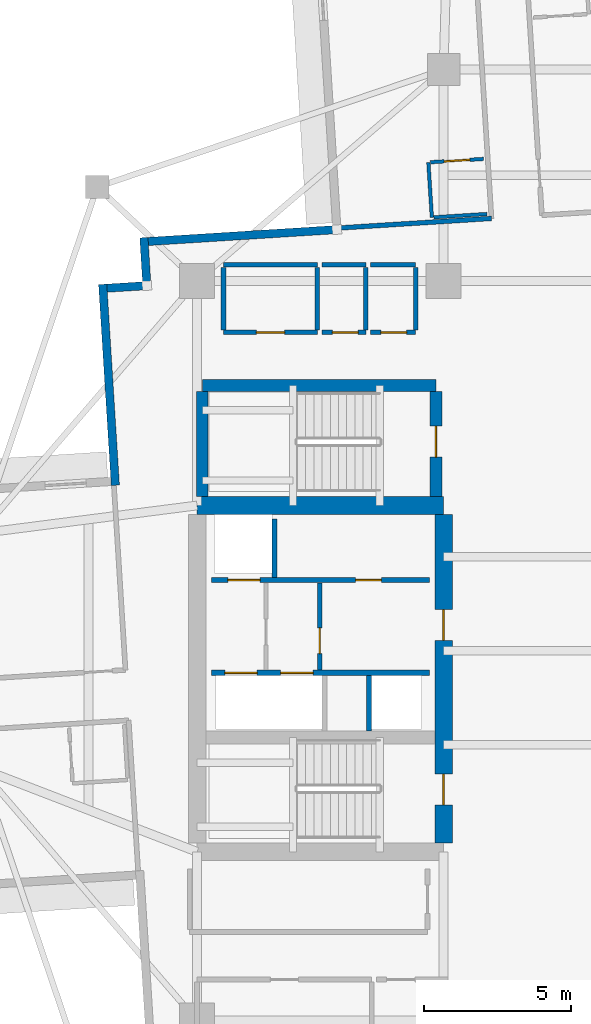
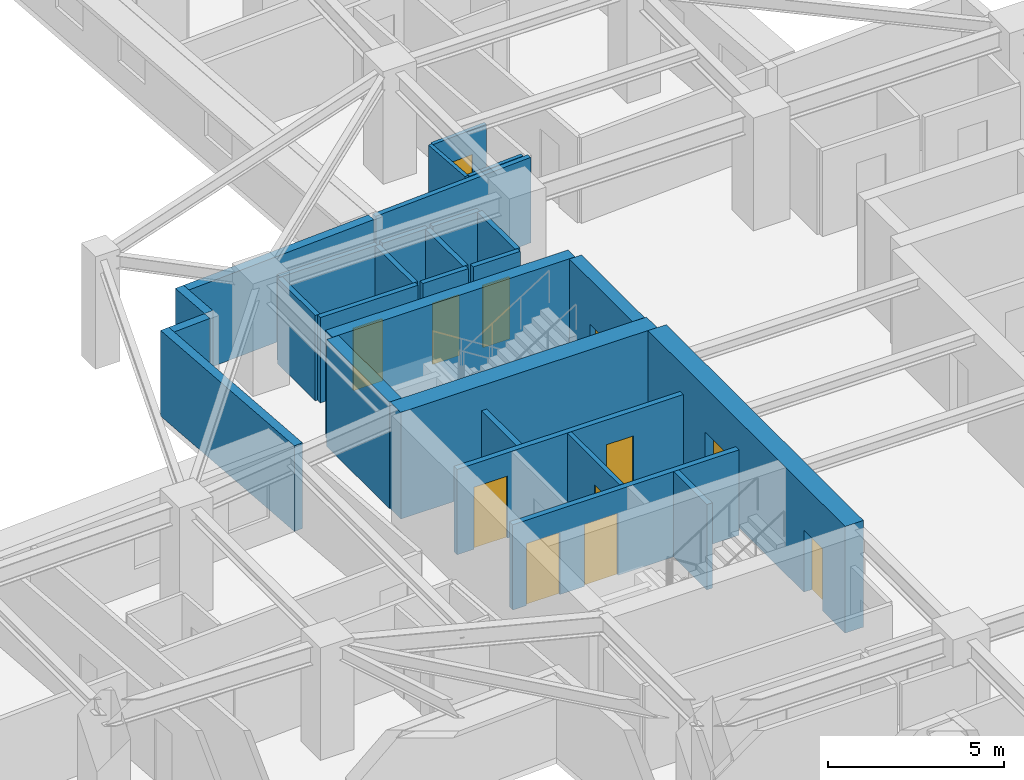
# One storey, part 6 of 14: 28 walls, 12 doors, 12 openings.
"""IFC4 building model written with IfcOpenShell, lengths in metres."""

from ifc_helpers import new_model, si_unit, direction, frame, frame_2d, origin, place, context, subcontext, project, spatial, rectangle, extrude, material, layer, layer_set, type_object, element, fill, save


model = new_model("IFC4")

# Units and contexts
model_context = context("Model", 3, precision=1e-05, world=origin(), true_north=direction((0.0, 1.0)))
body_context = subcontext(model_context, "Body", "Model", "MODEL_VIEW")
ifc_project = project(units=[si_unit("LENGTHUNIT", "METRE"), si_unit("AREAUNIT", "SQUARE_METRE"), si_unit("VOLUMEUNIT", "CUBIC_METRE"), si_unit("PLANEANGLEUNIT", "RADIAN"), si_unit("MASSUNIT", "GRAM", prefix="KILO")], contexts=[model_context])

# Site, building, storey
site_placement = place(None, origin())
site = spatial("IfcSite", under=ifc_project, at=site_placement, CompositionType="ELEMENT")
building_placement = place(site_placement, origin())
building = spatial("IfcBuilding", under=site, at=building_placement, Name="Qingluan Cross Belvedere", CompositionType="ELEMENT")
storey_placement = place(building_placement, frame((0.0, 0.0, 120.300048828125)))
storey = spatial("IfcBuildingStorey", under=building, at=storey_placement, Name="L30", CompositionType="ELEMENT", Elevation=120.300048828125)

# Walls
ifc_material_1 = material(Name="Concrete C50", Category="concrete")
ifc_layer_1 = layer(ifc_material_1, 0.449951171875, Name="CoreShearWall_450")
ifc_layer_set_1 = layer_set([ifc_layer_1], Name="Concrete C50")
wall_type_1 = type_object("IfcWallType", Name="CoreShearWall_450", PredefinedType="SHEAR", material=ifc_layer_set_1)
wall_1_placement = place(storey_placement, frame((-12.219970703125, 9.0400390625, 0.0), z_axis=(0.0, 0.0, 1.0), x_axis=(1.0, 0.0, 0.0)))
element("IfcWall", 1, at=wall_1_placement, inside=storey, type_object=wall_type_1, Name="Stair ST3 structural wall N L30", PredefinedType="SHEAR", context=body_context, shape_type="SweptSolid", body=[
    extrude(rectangle(XDim=7.9599609375, YDim=0.39990234375, at=frame_2d((3.97998046875, 0.0))), origin(), (0.0, 0.0, 1.0), 3.699951171875),
])
wall_2_placement = place(storey_placement, frame((-12.219970703125, 5.2548828125, 0.0), z_axis=(0.0, 0.0, 1.0), x_axis=(0.0, 1.0, 0.0)))
element("IfcWall", 2, at=wall_2_placement, inside=storey, type_object=wall_type_1, Name="Stair ST3 structural wall W L30", PredefinedType="SHEAR", context=body_context, shape_type="SweptSolid", body=[
    extrude(rectangle(XDim=3.580078125, YDim=0.39990234375, at=frame_2d((1.7900390625, 0.0))), origin(), (0.0, 0.0, 1.0), 3.699951171875),
])

# Wall, opening, door
wall_3_placement = place(storey_placement, frame((-4.260009765625, 5.2548828125, 0.0), z_axis=(0.0, 0.0, 1.0), x_axis=(0.0, 1.0, 0.0)))
wall_3 = element("IfcWall", 3, at=wall_3_placement, inside=storey, type_object=wall_type_1, Name="Stair ST3 structural wall E L30", PredefinedType="SHEAR", context=body_context, shape_type="SweptSolid", body=[
    extrude(rectangle(XDim=3.580078125, YDim=0.39990234375, at=frame_2d((1.7900390625, 0.0))), origin(), (0.0, 0.0, 1.0), 3.699951171875),
])
opening_1_placement = place(wall_3_placement, frame((1.344970703125, 0.0, 0.0)))
opening_1 = element("IfcOpeningElement", 4, at=opening_1_placement, cuts=wall_3, Name="Opening FD-B11", PredefinedType="OPENING", context=body_context, shape_type="SweptSolid", body=[
    extrude(rectangle(XDim=1.050048828125, YDim=2.14990234375, at=frame_2d((0.52490234375, 1.074951171875))), frame((0.0, 0.2099609375, 0.0), z_axis=(0.0, -1.0, 0.0), x_axis=(1.0, 0.0, 0.0)), (0.0, 0.0, 1.0), 0.419921875),
])
ifc_material_2 = material(Name="Steel Class B smoke-seal fire door", Category="steel")
door_type_1 = type_object("IfcDoorType", Name="StairLobbyFireDoor_FDB", OperationType="NOTDEFINED", PredefinedType="DOOR", material=ifc_material_2)
door_1_placement = place(opening_1_placement, origin())
door_1 = element("IfcDoor", 5, at=door_1_placement, inside=storey, type_object=door_type_1, Name="Smoke-proof stair ST3 fire door L30", OperationType="SINGLE_SWING_RIGHT", OverallHeight=2.14990234375, OverallWidth=1.050048828125, PredefinedType="DOOR", context=body_context, shape_type="SweptSolid", body=[
    extrude(rectangle(XDim=1.050048828125, YDim=2.14990234375, at=frame_2d((0.52490234375, 1.074951171875))), frame((0.0, 0.02490234375, 0.0), z_axis=(0.0, -1.0, 0.0), x_axis=(1.0, 0.0, 0.0)), (0.0, 0.0, 1.0), 0.050048828125),
])
fill(opening_1, door_1)

# Wall
ifc_material_3 = material(Name="Concrete C60", Category="concrete")
ifc_layer_2 = layer(ifc_material_3, 0.60009765625, Name="CoreShearWall_600")
ifc_layer_set_2 = layer_set([ifc_layer_2], Name="Concrete C60")
wall_type_2 = type_object("IfcWallType", Name="CoreShearWall_600", PredefinedType="SHEAR", material=ifc_layer_set_2)
wall_4_placement = place(storey_placement, frame((-12.39990234375, 4.949951171875, 0.0), z_axis=(0.0, 0.0, 1.0), x_axis=(1.0, 0.0, 0.0)))
element("IfcWall", 6, at=wall_4_placement, inside=storey, type_object=wall_type_2, Name="Split core W shear wall L30-N", PredefinedType="SHEAR", context=body_context, shape_type="SweptSolid", body=[
    extrude(rectangle(XDim=8.39990234375, YDim=0.60009765625, at=frame_2d((4.199951171875, 0.0))), origin(), (0.0, 0.0, 1.0), 3.699951171875),
])

# Wall, openings, doors
wall_5_placement = place(storey_placement, frame((-4.0, -6.544921875, 0.0), z_axis=(0.0, 0.0, 1.0), x_axis=(0.0, 1.0, 0.0)))
wall_5 = element("IfcWall", 7, at=wall_5_placement, inside=storey, type_object=wall_type_2, Name="Split core W shear wall L30-E", PredefinedType="SHEAR", context=body_context, shape_type="SweptSolid", body=[
    extrude(rectangle(XDim=11.18994140625, YDim=0.60009765625, at=frame_2d((5.594970703125, 0.0))), origin(), (0.0, 0.0, 1.0), 3.699951171875),
])
opening_2_placement = place(wall_5_placement, frame((1.294921875, 0.0, 0.0)))
opening_2 = element("IfcOpeningElement", 8, at=opening_2_placement, cuts=wall_5, Name="Opening FD-B11", PredefinedType="OPENING", context=body_context, shape_type="SweptSolid", body=[
    extrude(rectangle(XDim=1.050048828125, YDim=2.14990234375, at=frame_2d((0.52490234375, 1.074951171875))), frame((0.0, 0.31005859375, 0.0), z_axis=(0.0, -1.0, 0.0), x_axis=(1.0, 0.0, 0.0)), (0.0, 0.0, 1.0), 0.6201171875),
])
opening_3_placement = place(wall_5_placement, frame((6.89501953125, 0.0, 0.0)))
opening_3 = element("IfcOpeningElement", 9, at=opening_3_placement, cuts=wall_5, Name="Opening FD-B11", PredefinedType="OPENING", context=body_context, shape_type="SweptSolid", body=[
    extrude(rectangle(XDim=1.050048828125, YDim=2.14990234375, at=frame_2d((0.52490234375, 1.074951171875))), frame((0.0, 0.31005859375, 0.0), z_axis=(0.0, -1.0, 0.0), x_axis=(1.0, 0.0, 0.0)), (0.0, 0.0, 1.0), 0.6201171875),
])
door_2_placement = place(opening_2_placement, origin())
door_2 = element("IfcDoor", 10, at=door_2_placement, inside=storey, type_object=door_type_1, Name="Smoke-proof stair ST1 fire door L30", OperationType="SINGLE_SWING_RIGHT", OverallHeight=2.14990234375, OverallWidth=1.050048828125, PredefinedType="DOOR", context=body_context, shape_type="SweptSolid", body=[
    extrude(rectangle(XDim=1.050048828125, YDim=2.14990234375, at=frame_2d((0.52490234375, 1.074951171875))), frame((0.0, 0.02490234375, 0.0), z_axis=(0.0, -1.0, 0.0), x_axis=(1.0, 0.0, 0.0)), (0.0, 0.0, 1.0), 0.050048828125),
])
fill(opening_2, door_2)
door_3_placement = place(opening_3_placement, origin())
door_3 = element("IfcDoor", 11, at=door_3_placement, inside=storey, type_object=door_type_1, Name="Firefighting lobby West fire door L30", OperationType="SINGLE_SWING_RIGHT", OverallHeight=2.14990234375, OverallWidth=1.050048828125, PredefinedType="DOOR", context=body_context, shape_type="SweptSolid", body=[
    extrude(rectangle(XDim=1.050048828125, YDim=2.14990234375, at=frame_2d((0.52490234375, 1.074951171875))), frame((0.0, 0.02490234375, 0.0), z_axis=(0.0, -1.0, 0.0), x_axis=(1.0, 0.0, 0.0)), (0.0, 0.0, 1.0), 0.050048828125),
])
fill(opening_3, door_3)

# Wall, opening, door
ifc_material_4 = material(Name="Gypsum plasterboard on steel stud acoustic partition", Category="steel")
ifc_layer_3 = layer(ifc_material_4, 0.159912109375, Name="CorridorPartition_160")
ifc_layer_set_3 = layer_set([ifc_layer_3], Name="Gypsum plasterboard on steel stud acoustic partition")
wall_type_3 = type_object("IfcWallType", Name="CorridorPartition_160", PredefinedType="PARTITIONING", material=ifc_layer_set_3)
wall_6_placement = place(storey_placement, frame((-11.5, 10.85009765625, 0.0), z_axis=(0.0, 0.0, 1.0), x_axis=(1.0, 0.0, 0.0)))
wall_6 = element("IfcWall", 12, at=wall_6_placement, inside=storey, type_object=wall_type_3, Name="Partition L30:q_nw_occ:S", PredefinedType="PARTITIONING", context=body_context, shape_type="SweptSolid", body=[
    extrude(rectangle(XDim=3.199951171875, YDim=0.159912109375, at=frame_2d((1.60009765625, 0.0))), origin(), (0.0, 0.0, 1.0), 2.9599609375),
])
opening_4_placement = place(wall_6_placement, frame((1.1201171875, 0.0, 0.0)))
opening_4 = element("IfcOpeningElement", 13, at=opening_4_placement, cuts=wall_6, Name="Opening GD-10", PredefinedType="OPENING", context=body_context, shape_type="SweptSolid", body=[
    extrude(rectangle(XDim=0.9599609375, YDim=2.14990234375, at=frame_2d((0.47998046875, 1.074951171875))), frame((0.0, 0.08984375, 0.0), z_axis=(0.0, -1.0, 0.0), x_axis=(1.0, 0.0, 0.0)), (0.0, 0.0, 1.0), 0.179931640625),
])
ifc_material_5 = material(Name="Timber oak fire-rated acoustic guestroom door", Category="wood")
door_type_2 = type_object("IfcDoorType", Name="GuestEntryDoor_FD60", OperationType="NOTDEFINED", PredefinedType="DOOR", material=ifc_material_5)
door_4_placement = place(opening_4_placement, origin())
door_4 = element("IfcDoor", 14, at=door_4_placement, inside=storey, type_object=door_type_2, Name="Northwest corner reading salon L30 door", OperationType="SINGLE_SWING_RIGHT", OverallHeight=2.14990234375, OverallWidth=0.9599609375, PredefinedType="DOOR", context=body_context, shape_type="SweptSolid", body=[
    extrude(rectangle(XDim=0.9599609375, YDim=2.14990234375, at=frame_2d((0.47998046875, 1.074951171875))), frame((0.0, 0.02490234375, 0.0), z_axis=(0.0, -1.0, 0.0), x_axis=(1.0, 0.0, 0.0)), (0.0, 0.0, 1.0), 0.050048828125),
])
fill(opening_4, door_4)

# Walls
wall_7_placement = place(storey_placement, frame((-11.5, 13.14990234375, 0.0), z_axis=(0.0, 0.0, 1.0), x_axis=(1.0, 0.0, 0.0)))
element("IfcWall", 15, at=wall_7_placement, inside=storey, type_object=wall_type_3, Name="Partition L30:q_nw_occ:N", PredefinedType="PARTITIONING", context=body_context, shape_type="SweptSolid", body=[
    extrude(rectangle(XDim=3.199951171875, YDim=0.159912109375, at=frame_2d((1.60009765625, 0.0))), origin(), (0.0, 0.0, 1.0), 2.9599609375),
])
for number, where, z_axis, x_axis, name in (
    (16, (-11.5, 10.93505859375, 0.0), (0.0, 0.0, 1.0), (0.0, 1.0, 0.0), "Partition L30:q_nw_occ:W"),
    (17, (-8.300048828125, 10.93505859375, 0.0), (0.0, 0.0, 1.0), (0.0, 1.0, 0.0), "Partition L30:q_nw_occ:E"),
):
    element("IfcWall", number, at=place(storey_placement, frame(where, z_axis=z_axis, x_axis=x_axis)), inside=storey, type_object=wall_type_3, Name=name, PredefinedType="PARTITIONING", context=body_context, shape_type="SweptSolid", body=[
        extrude(rectangle(XDim=2.1298828125, YDim=0.159912109375, at=frame_2d((1.06494140625, 0.0))), origin(), (0.0, 0.0, 1.0), 2.9599609375),
    ])

# Wall, opening, door
wall_8_placement = place(storey_placement, frame((-8.139892578125, 10.85009765625, 0.0), z_axis=(0.0, 0.0, 1.0), x_axis=(1.0, 0.0, 0.0)))
wall_8 = element("IfcWall", 18, at=wall_8_placement, inside=storey, type_object=wall_type_3, Name="Partition L30:hk_linen:S", PredefinedType="PARTITIONING", context=body_context, shape_type="SweptSolid", body=[
    extrude(rectangle(XDim=1.489990234375, YDim=0.159912109375, at=frame_2d((0.7451171875, 0.0))), origin(), (0.0, 0.0, 1.0), 2.9599609375),
])
opening_5_placement = place(wall_8_placement, frame((0.35009765625, 0.0, 0.0)))
opening_5 = element("IfcOpeningElement", 19, at=opening_5_placement, cuts=wall_8, Name="Opening FD-B10", PredefinedType="OPENING", context=body_context, shape_type="SweptSolid", body=[
    extrude(rectangle(XDim=0.8798828125, YDim=2.10009765625, at=frame_2d((0.43994140625, 1.050048828125))), frame((0.0, 0.08984375, 0.0), z_axis=(0.0, -1.0, 0.0), x_axis=(1.0, 0.0, 0.0)), (0.0, 0.0, 1.0), 0.179931640625),
])
ifc_material_6 = material(Name="Steel Class B service fire door", Category="steel")
door_type_3 = type_object("IfcDoorType", Name="RiserServiceFireDoor_FDB", OperationType="NOTDEFINED", PredefinedType="DOOR", material=ifc_material_6)
door_5_placement = place(opening_5_placement, origin())
door_5 = element("IfcDoor", 20, at=door_5_placement, inside=storey, type_object=door_type_3, Name="Housekeeping and linen store L30 door", OperationType="SINGLE_SWING_LEFT", OverallHeight=2.10009765625, OverallWidth=0.8798828125, PredefinedType="DOOR", context=body_context, shape_type="SweptSolid", body=[
    extrude(rectangle(XDim=0.8798828125, YDim=2.10009765625, at=frame_2d((0.43994140625, 1.050048828125))), frame((0.0, 0.02490234375, 0.0), z_axis=(0.0, -1.0, 0.0), x_axis=(1.0, 0.0, 0.0)), (0.0, 0.0, 1.0), 0.050048828125),
])
fill(opening_5, door_5)

# Walls
wall_9_placement = place(storey_placement, frame((-8.139892578125, 13.14990234375, 0.0), z_axis=(0.0, 0.0, 1.0), x_axis=(1.0, 0.0, 0.0)))
element("IfcWall", 21, at=wall_9_placement, inside=storey, type_object=wall_type_3, Name="Partition L30:hk_linen:N", PredefinedType="PARTITIONING", context=body_context, shape_type="SweptSolid", body=[
    extrude(rectangle(XDim=1.489990234375, YDim=0.159912109375, at=frame_2d((0.7451171875, 0.0))), origin(), (0.0, 0.0, 1.0), 2.9599609375),
])
wall_10_placement = place(storey_placement, frame((-6.64990234375, 10.93505859375, 0.0), z_axis=(0.0, 0.0, 1.0), x_axis=(0.0, 1.0, 0.0)))
element("IfcWall", 22, at=wall_10_placement, inside=storey, type_object=wall_type_3, Name="Partition L30:hk_linen:E", PredefinedType="PARTITIONING", context=body_context, shape_type="SweptSolid", body=[
    extrude(rectangle(XDim=2.1298828125, YDim=0.159912109375, at=frame_2d((1.06494140625, 0.0))), origin(), (0.0, 0.0, 1.0), 2.9599609375),
])

# Wall, opening, door
wall_11_placement = place(storey_placement, frame((-6.489990234375, 10.85009765625, 0.0), z_axis=(0.0, 0.0, 1.0), x_axis=(1.0, 0.0, 0.0)))
wall_11 = element("IfcWall", 23, at=wall_11_placement, inside=storey, type_object=wall_type_3, Name="Partition L30:floor_acc_wc:S", PredefinedType="PARTITIONING", context=body_context, shape_type="SweptSolid", body=[
    extrude(rectangle(XDim=1.5400390625, YDim=0.159912109375, at=frame_2d((0.77001953125, 0.0))), origin(), (0.0, 0.0, 1.0), 2.9599609375),
])
opening_6_placement = place(wall_11_placement, frame((0.35009765625, 0.0, 0.0)))
opening_6 = element("IfcOpeningElement", 24, at=opening_6_placement, cuts=wall_11, Name="Opening BD-08", PredefinedType="OPENING", context=body_context, shape_type="SweptSolid", body=[
    extrude(rectangle(XDim=0.8798828125, YDim=2.14990234375, at=frame_2d((0.43994140625, 1.074951171875))), frame((0.0, 0.08984375, 0.0), z_axis=(0.0, -1.0, 0.0), x_axis=(1.0, 0.0, 0.0)), (0.0, 0.0, 1.0), 0.179931640625),
])
ifc_material_7 = material(Name="Moisture-sealed timber accessible WC door", Category="wood")
door_type_4 = type_object("IfcDoorType", Name="AccessibleWCDoor_880", OperationType="NOTDEFINED", PredefinedType="DOOR", material=ifc_material_7)
door_6_placement = place(opening_6_placement, origin())
door_6 = element("IfcDoor", 25, at=door_6_placement, inside=storey, type_object=door_type_4, Name="Accessible guest washroom L30 door", OperationType="SINGLE_SWING_RIGHT", OverallHeight=2.14990234375, OverallWidth=0.8798828125, PredefinedType="DOOR", context=body_context, shape_type="SweptSolid", body=[
    extrude(rectangle(XDim=0.8798828125, YDim=2.14990234375, at=frame_2d((0.43994140625, 1.074951171875))), frame((0.0, 0.02490234375, 0.0), z_axis=(0.0, -1.0, 0.0), x_axis=(1.0, 0.0, 0.0)), (0.0, 0.0, 1.0), 0.050048828125),
])
fill(opening_6, door_6)

# Walls
wall_12_placement = place(storey_placement, frame((-6.489990234375, 13.14990234375, 0.0), z_axis=(0.0, 0.0, 1.0), x_axis=(1.0, 0.0, 0.0)))
element("IfcWall", 26, at=wall_12_placement, inside=storey, type_object=wall_type_3, Name="Partition L30:floor_acc_wc:N", PredefinedType="PARTITIONING", context=body_context, shape_type="SweptSolid", body=[
    extrude(rectangle(XDim=1.5400390625, YDim=0.159912109375, at=frame_2d((0.77001953125, 0.0))), origin(), (0.0, 0.0, 1.0), 2.9599609375),
])
wall_13_placement = place(storey_placement, frame((-4.949951171875, 10.93505859375, 0.0), z_axis=(0.0, 0.0, 1.0), x_axis=(0.0, 1.0, 0.0)))
element("IfcWall", 27, at=wall_13_placement, inside=storey, type_object=wall_type_3, Name="Partition L30:floor_acc_wc:E", PredefinedType="PARTITIONING", context=body_context, shape_type="SweptSolid", body=[
    extrude(rectangle(XDim=2.1298828125, YDim=0.159912109375, at=frame_2d((1.06494140625, 0.0))), origin(), (0.0, 0.0, 1.0), 2.9599609375),
])
wall_14_placement = place(storey_placement, frame((-2.36962890625, 14.730224609375, 0.0), z_axis=(0.0, 0.0, 1.0), x_axis=(-0.998026584059, -0.062792814175, 0.0)))
element("IfcWall", 28, at=wall_14_placement, inside=storey, type_object=wall_type_3, Name="Partition L30:N:s1", PredefinedType="PARTITIONING", context=body_context, shape_type="SweptSolid", body=[
    extrude(rectangle(XDim=5.280029296875, YDim=0.159912109375, at=frame_2d((2.64013671875, 0.0))), origin(), (0.0, 0.0, 1.0), 2.9599609375),
])

# Wall, opening, door
ifc_material_8 = material(Name="Moisture-resistant gypsum board lining")
ifc_layer_4 = layer(ifc_material_8, 0.1201171875, Name="EnsuiteWetPartition_120")
ifc_layer_set_4 = layer_set([ifc_layer_4], Name="Moisture-resistant gypsum board lining")
wall_type_4 = type_object("IfcWallType", Name="EnsuiteWetPartition_120", PredefinedType="PARTITIONING", material=ifc_layer_set_4)
wall_15_placement = place(storey_placement, frame((-4.453857421875, 16.643310546875, 0.0), z_axis=(0.0, 0.0, 1.0), x_axis=(0.998027443946, 0.062779145668, 0.0)))
wall_15 = element("IfcWall", 29, at=wall_15_placement, inside=storey, type_object=wall_type_4, Name="Partition L30:N:bs1_0", PredefinedType="PARTITIONING", context=body_context, shape_type="SweptSolid", body=[
    extrude(rectangle(XDim=1.820068359375, YDim=0.1201171875, at=frame_2d((0.91015625, 0.0))), origin(), (0.0, 0.0, 1.0), 2.9599609375),
])
opening_7_placement = place(wall_15_placement, frame((0.469970703125, 0.0, 0.0)))
opening_7 = element("IfcOpeningElement", 30, at=opening_7_placement, cuts=wall_15, Name="Opening BD-09", PredefinedType="OPENING", context=body_context, shape_type="SweptSolid", body=[
    extrude(rectangle(XDim=0.8798828125, YDim=2.10009765625, at=frame_2d((0.43994140625, 1.050048828125))), frame((0.0, 0.070068359375, 0.0), z_axis=(0.0, -1.0, 0.0), x_axis=(1.0, 0.0, 0.0)), (0.0, 0.0, 1.0), 0.14013671875),
])
ifc_material_9 = material(Name="Moisture-sealed timber en-suite door", Category="wood")
door_type_5 = type_object("IfcDoorType", Name="BathroomDoor_880", OperationType="NOTDEFINED", PredefinedType="DOOR", material=ifc_material_9)
door_7_placement = place(opening_7_placement, origin())
door_7 = element("IfcDoor", 31, at=door_7_placement, inside=storey, type_object=door_type_5, Name="Bathroom door 3008", OperationType="SINGLE_SWING_LEFT", OverallHeight=2.10009765625, OverallWidth=0.8798828125, PredefinedType="DOOR", context=body_context, shape_type="SweptSolid", body=[
    extrude(rectangle(XDim=0.8798828125, YDim=2.10009765625, at=frame_2d((0.43994140625, 1.050048828125))), frame((0.0, 0.02490234375, 0.0), z_axis=(0.0, -1.0, 0.0), x_axis=(1.0, 0.0, 0.0)), (0.0, 0.0, 1.0), 0.050048828125),
])
fill(opening_7, door_7)

# Walls
wall_16_placement = place(storey_placement, frame((-4.335693359375, 14.766845703125, 0.0), z_axis=(0.0, 0.0, 1.0), x_axis=(0.998027443946, 0.062779145668, 0.0)))
element("IfcWall", 32, at=wall_16_placement, inside=storey, type_object=wall_type_4, Name="Partition L30:N:bw1_0", PredefinedType="PARTITIONING", context=body_context, shape_type="SweptSolid", body=[
    extrude(rectangle(XDim=1.820068359375, YDim=0.1201171875, at=frame_2d((0.91015625, 0.0))), origin(), (0.0, 0.0, 1.0), 2.9599609375),
])
wall_17_placement = place(storey_placement, frame((-4.400634765625, 14.7626953125, 0.0), z_axis=(0.0, 0.0, 1.0), x_axis=(-0.062847152131, 0.998023163794, 0.0)))
element("IfcWall", 33, at=wall_17_placement, inside=storey, type_object=wall_type_4, Name="Partition L30:N:bc1_0", PredefinedType="PARTITIONING", context=body_context, shape_type="SweptSolid", body=[
    extrude(rectangle(XDim=1.880126953125, YDim=0.1201171875, at=frame_2d((0.93994140625, 0.0))), origin(), (0.0, 0.0, 1.0), 2.9599609375),
])
ifc_material_10 = material(Name="Precast concrete C45", Category="concrete")
ifc_layer_5 = layer(ifc_material_10, 0.280029296875, Name="PrecastFacadeWall_280")
ifc_layer_set_5 = layer_set([ifc_layer_5], Name="Precast concrete C45")
wall_type_5 = type_object("IfcWallType", Name="PrecastFacadeWall_280", PredefinedType="STANDARD", material=ifc_layer_set_5)
wall_18_placement = place(storey_placement, frame((-15.18408203125, 5.6376953125, 0.0), z_axis=(0.0, 0.0, 1.0), x_axis=(-0.062779317195, 0.998027433156, 0.0)))
element("IfcWall", 34, at=wall_18_placement, inside=storey, type_object=wall_type_5, Name="Corner wall L30-NW1", PredefinedType="STANDARD", context=body_context, shape_type="SweptSolid", body=[
    extrude(rectangle(XDim=6.85986328125, YDim=0.280029296875, at=frame_2d((3.429931640625, 0.0))), origin(), (0.0, 0.0, 1.0), 2.969970703125),
])
wall_19_placement = place(storey_placement, frame((-15.46630859375, 12.353271484375, 0.0), z_axis=(0.0, 0.0, 1.0), x_axis=(0.998024450254, 0.062826719603, 0.0)))
element("IfcWall", 35, at=wall_19_placement, inside=storey, type_object=wall_type_5, Name="Corner wall L30-NW2", PredefinedType="STANDARD", context=body_context, shape_type="SweptSolid", body=[
    extrude(rectangle(XDim=1.22021484375, YDim=0.280029296875, at=frame_2d((0.610107421875, 0.0))), origin(), (0.0, 0.0, 1.0), 2.969970703125),
])
wall_20_placement = place(storey_placement, frame((-14.11767578125, 12.578369140625, 0.0), z_axis=(0.0, 0.0, 1.0), x_axis=(-0.062824119533, 0.998024613927, 0.0)))
element("IfcWall", 36, at=wall_20_placement, inside=storey, type_object=wall_type_5, Name="Corner wall L30-NW3", PredefinedType="STANDARD", context=body_context, shape_type="SweptSolid", body=[
    extrude(rectangle(XDim=1.5, YDim=0.280029296875, at=frame_2d((0.75, 0.0))), origin(), (0.0, 0.0, 1.0), 2.969970703125),
])
wall_21_placement = place(storey_placement, frame((-14.063232421875, 13.944580078125, 0.0), z_axis=(0.0, 0.0, 1.0), x_axis=(0.998027314704, 0.062781200242, 0.0)))
element("IfcWall", 37, at=wall_21_placement, inside=storey, type_object=wall_type_5, Name="Corner wall L30-NW4", PredefinedType="STANDARD", context=body_context, shape_type="SweptSolid", body=[
    extrude(rectangle(XDim=6.2998046875, YDim=0.280029296875, at=frame_2d((3.14990234375, 0.0))), origin(), (0.0, 0.0, 1.0), 2.969970703125),
])

# Wall, openings, doors
ifc_material_11 = material(Name="Concrete C40", Category="concrete")
ifc_layer_6 = layer(ifc_material_11, 0.219970703125, Name="ShaftEnclosureWall_250")
ifc_layer_set_6 = layer_set([ifc_layer_6], Name="Concrete C40")
wall_type_6 = type_object("IfcWallType", Name="ShaftEnclosureWall_250", PredefinedType="SOLIDWALL", material=ifc_layer_set_6)
wall_22_placement = place(storey_placement, frame((-11.89990234375, 2.409912109375, 0.0), z_axis=(0.0, 0.0, 1.0), x_axis=(1.0, 0.0, 0.0)))
wall_22 = element("IfcWall", 38, at=wall_22_placement, inside=storey, type_object=wall_type_6, Name="Core-W north hoistway wall L30", PredefinedType="SOLIDWALL", context=body_context, shape_type="SweptSolid", body=[
    extrude(rectangle(XDim=7.419921875, YDim=0.179931640625, at=frame_2d((3.7099609375, 0.0))), origin(), (0.0, 0.0, 1.0), 2.9599609375),
])
opening_8_placement = place(wall_22_placement, frame((0.550048828125, 0.0, 0.0)))
opening_8 = element("IfcOpeningElement", 39, at=opening_8_placement, cuts=wall_22, Name="Opening LD-11", PredefinedType="OPENING", context=body_context, shape_type="SweptSolid", body=[
    extrude(rectangle(XDim=1.10009765625, YDim=2.14990234375, at=frame_2d((0.550048828125, 1.074951171875))), frame((0.0, 0.099853515625, 0.0), z_axis=(0.0, -1.0, 0.0), x_axis=(1.0, 0.0, 0.0)), (0.0, 0.0, 1.0), 0.199951171875),
])
opening_9_placement = place(wall_22_placement, frame((4.89990234375, 0.0, 0.0)))
opening_9 = element("IfcOpeningElement", 40, at=opening_9_placement, cuts=wall_22, Name="Opening FD-B10", PredefinedType="OPENING", context=body_context, shape_type="SweptSolid", body=[
    extrude(rectangle(XDim=0.8798828125, YDim=2.10009765625, at=frame_2d((0.43994140625, 1.050048828125))), frame((0.0, 0.099853515625, 0.0), z_axis=(0.0, -1.0, 0.0), x_axis=(1.0, 0.0, 0.0)), (0.0, 0.0, 1.0), 0.199951171875),
])
ifc_material_12 = material(Name="Brushed stainless steel centre-opening lift landing door", Category="steel")
door_type_6 = type_object("IfcDoorType", Name="LiftLandingSlidingDoor_1100", OperationType="DOUBLE_DOOR_SLIDING", PredefinedType="DOOR", material=ifc_material_12)
door_8_placement = place(opening_8_placement, origin())
door_8 = element("IfcDoor", 41, at=door_8_placement, inside=storey, type_object=door_type_6, Name="Lift landing sliding door FL1 L30", OperationType="DOUBLE_DOOR_SLIDING", OverallHeight=2.14990234375, OverallWidth=1.10009765625, PredefinedType="DOOR", context=body_context, shape_type="SweptSolid", body=[
    extrude(rectangle(XDim=1.10009765625, YDim=2.14990234375, at=frame_2d((0.550048828125, 1.074951171875))), frame((0.0, 0.02490234375, 0.0), z_axis=(0.0, -1.0, 0.0), x_axis=(1.0, 0.0, 0.0)), (0.0, 0.0, 1.0), 0.050048828125),
])
fill(opening_8, door_8)
door_9_placement = place(opening_9_placement, origin())
door_9 = element("IfcDoor", 42, at=door_9_placement, inside=storey, type_object=door_type_3, Name="Housekeeping supply room door W L30", OperationType="SINGLE_SWING_LEFT", OverallHeight=2.10009765625, OverallWidth=0.8798828125, PredefinedType="DOOR", context=body_context, shape_type="SweptSolid", body=[
    extrude(rectangle(XDim=0.8798828125, YDim=2.10009765625, at=frame_2d((0.43994140625, 1.050048828125))), frame((0.0, 0.02490234375, 0.0), z_axis=(0.0, -1.0, 0.0), x_axis=(1.0, 0.0, 0.0)), (0.0, 0.0, 1.0), 0.050048828125),
])
fill(opening_9, door_9)

wall_23_placement = place(storey_placement, frame((-11.89990234375, -0.75, 0.0), z_axis=(0.0, 0.0, 1.0), x_axis=(1.0, 0.0, 0.0)))
wall_23 = element("IfcWall", 43, at=wall_23_placement, inside=storey, type_object=wall_type_6, Name="Core-W mid hoistway wall L30", PredefinedType="SOLIDWALL", context=body_context, shape_type="SweptSolid", body=[
    extrude(rectangle(XDim=7.419921875, YDim=0.179931640625, at=frame_2d((3.7099609375, 0.0))), origin(), (0.0, 0.0, 1.0), 2.9599609375),
])
opening_10_placement = place(wall_23_placement, frame((0.449951171875, 0.0, 0.0)))
opening_10 = element("IfcOpeningElement", 44, at=opening_10_placement, cuts=wall_23, Name="Opening LD-11", PredefinedType="OPENING", context=body_context, shape_type="SweptSolid", body=[
    extrude(rectangle(XDim=1.10009765625, YDim=2.14990234375, at=frame_2d((0.550048828125, 1.074951171875))), frame((0.0, 0.099853515625, 0.0), z_axis=(0.0, -1.0, 0.0), x_axis=(1.0, 0.0, 0.0)), (0.0, 0.0, 1.0), 0.199951171875),
])
opening_11_placement = place(wall_23_placement, frame((2.35009765625, 0.0, 0.0)))
opening_11 = element("IfcOpeningElement", 45, at=opening_11_placement, cuts=wall_23, Name="Opening LD-11", PredefinedType="OPENING", context=body_context, shape_type="SweptSolid", body=[
    extrude(rectangle(XDim=1.10009765625, YDim=2.14990234375, at=frame_2d((0.550048828125, 1.074951171875))), frame((0.0, 0.099853515625, 0.0), z_axis=(0.0, -1.0, 0.0), x_axis=(1.0, 0.0, 0.0)), (0.0, 0.0, 1.0), 0.199951171875),
])
door_10_placement = place(opening_10_placement, origin())
door_10 = element("IfcDoor", 46, at=door_10_placement, inside=storey, type_object=door_type_6, Name="Lift landing sliding door LP5 L30", OperationType="DOUBLE_DOOR_SLIDING", OverallHeight=2.14990234375, OverallWidth=1.10009765625, PredefinedType="DOOR", context=body_context, shape_type="SweptSolid", body=[
    extrude(rectangle(XDim=1.10009765625, YDim=2.14990234375, at=frame_2d((0.550048828125, 1.074951171875))), frame((0.0, 0.02490234375, 0.0), z_axis=(0.0, -1.0, 0.0), x_axis=(1.0, 0.0, 0.0)), (0.0, 0.0, 1.0), 0.050048828125),
])
fill(opening_10, door_10)
door_11_placement = place(opening_11_placement, origin())
door_11 = element("IfcDoor", 47, at=door_11_placement, inside=storey, type_object=door_type_6, Name="Lift landing sliding door LP6 L30", OperationType="DOUBLE_DOOR_SLIDING", OverallHeight=2.14990234375, OverallWidth=1.10009765625, PredefinedType="DOOR", context=body_context, shape_type="SweptSolid", body=[
    extrude(rectangle(XDim=1.10009765625, YDim=2.14990234375, at=frame_2d((0.550048828125, 1.074951171875))), frame((0.0, 0.02490234375, 0.0), z_axis=(0.0, -1.0, 0.0), x_axis=(1.0, 0.0, 0.0)), (0.0, 0.0, 1.0), 0.050048828125),
])
fill(opening_11, door_11)

# Walls
wall_24_placement = place(storey_placement, frame((-9.760009765625, 2.5, 0.0), z_axis=(0.0, 0.0, 1.0), x_axis=(0.0, 1.0, 0.0)))
element("IfcWall", 48, at=wall_24_placement, inside=storey, type_object=wall_type_6, Name="Hoistway enclosure divider FL1E L30", PredefinedType="SOLIDWALL", context=body_context, shape_type="SweptSolid", body=[
    extrude(rectangle(XDim=1.989990234375, YDim=0.179931640625, at=frame_2d((0.9951171875, 0.0))), origin(), (0.0, 0.0, 1.0), 2.9599609375),
])
wall_25_placement = place(storey_placement, frame((-6.5400390625, -2.72998046875, 0.0), z_axis=(0.0, 0.0, 1.0), x_axis=(0.0, 1.0, 0.0)))
element("IfcWall", 49, at=wall_25_placement, inside=storey, type_object=wall_type_6, Name="Hoistway enclosure divider LP8W L30", PredefinedType="SOLIDWALL", context=body_context, shape_type="SweptSolid", body=[
    extrude(rectangle(XDim=1.889892578125, YDim=0.179931640625, at=frame_2d((0.94482421875, 0.0))), origin(), (0.0, 0.0, 1.0), 2.9599609375),
])

# Wall, opening, door
wall_26_placement = place(storey_placement, frame((-8.219970703125, -0.64990234375, 0.0), z_axis=(0.0, 0.0, 1.0), x_axis=(0.0, 1.0, 0.0)))
wall_26 = element("IfcWall", 50, at=wall_26_placement, inside=storey, type_object=wall_type_6, Name="Core-W service corridor wall L30", PredefinedType="SOLIDWALL", context=body_context, shape_type="SweptSolid", body=[
    extrude(rectangle(XDim=2.9599609375, YDim=0.139892578125, at=frame_2d((1.47998046875, 0.0))), origin(), (0.0, 0.0, 1.0), 2.9599609375),
])
opening_12_placement = place(wall_26_placement, frame((0.550048828125, 0.0, 0.0)))
opening_12 = element("IfcOpeningElement", 51, at=opening_12_placement, cuts=wall_26, Name="Opening FD-B10", PredefinedType="OPENING", context=body_context, shape_type="SweptSolid", body=[
    extrude(rectangle(XDim=0.8798828125, YDim=2.10009765625, at=frame_2d((0.43994140625, 1.050048828125))), frame((0.0, 0.079833984375, 0.0), z_axis=(0.0, -1.0, 0.0), x_axis=(1.0, 0.0, 0.0)), (0.0, 0.0, 1.0), 0.159912109375),
])
door_12_placement = place(opening_12_placement, origin())
door_12 = element("IfcDoor", 52, at=door_12_placement, inside=storey, type_object=door_type_3, Name="Core-W service room door L30", OperationType="SINGLE_SWING_LEFT", OverallHeight=2.10009765625, OverallWidth=0.8798828125, PredefinedType="DOOR", context=body_context, shape_type="SweptSolid", body=[
    extrude(rectangle(XDim=0.8798828125, YDim=2.10009765625, at=frame_2d((0.43994140625, 1.050048828125))), frame((0.0, 0.02490234375, 0.0), z_axis=(0.0, -1.0, 0.0), x_axis=(1.0, 0.0, 0.0)), (0.0, 0.0, 1.0), 0.050048828125),
])
fill(opening_12, door_12)

save(model, "model.ifc")
